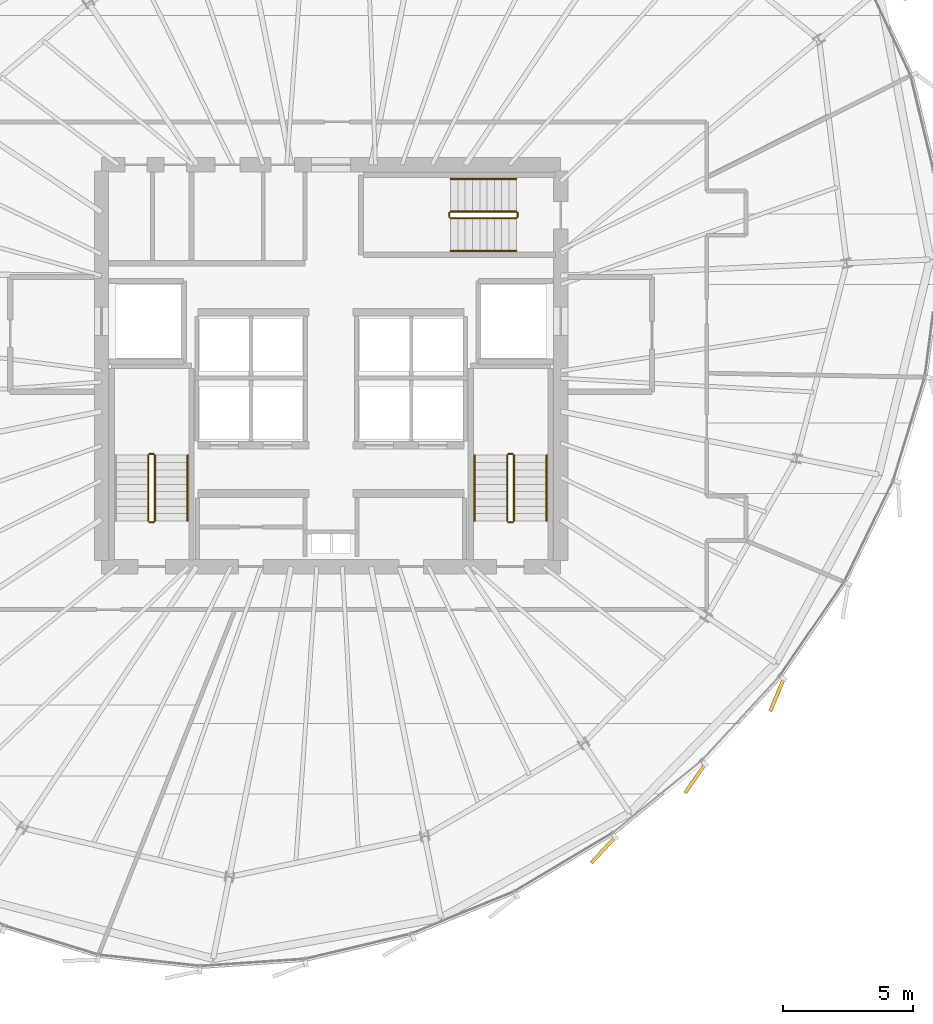
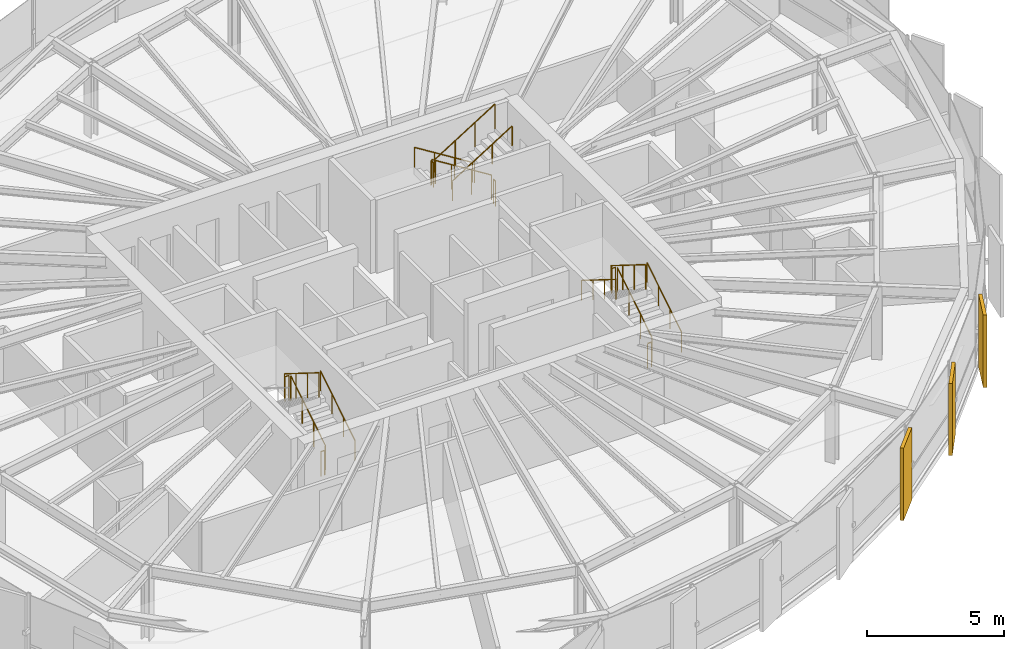
# One storey, part 33 of 34: 17 railings, 3 coverings.
"""IFC4 building model written with IfcOpenShell, lengths in metres."""

from ifc_helpers import new_model, si_unit, direction, frame, origin, origin_2d, place, context, subcontext, project, spatial, rectangle, circle, extrude, source, transform, mapped, material, layer, layer_set, type_object, element, save


model = new_model("IFC4")

# Units and contexts
model_context = context("Model", 3, precision=1e-05, world=origin(), true_north=direction((0.0, 1.0)))
body_context = subcontext(model_context, "Body", "Model", "MODEL_VIEW")
ifc_project = project(units=[si_unit("LENGTHUNIT", "METRE"), si_unit("AREAUNIT", "SQUARE_METRE"), si_unit("VOLUMEUNIT", "CUBIC_METRE"), si_unit("PLANEANGLEUNIT", "RADIAN"), si_unit("MASSUNIT", "GRAM", prefix="KILO"), si_unit("THERMODYNAMICTEMPERATUREUNIT", "KELVIN")], contexts=[model_context])

# Site, building, storey
site_placement = place(None, origin())
site = spatial("IfcSite", under=ifc_project, at=site_placement, CompositionType="ELEMENT")
building_placement = place(site_placement, origin())
building = spatial("IfcBuilding", under=site, at=building_placement, Name="Kethvar Cultural Tower", CompositionType="ELEMENT")
storey_placement = place(building_placement, frame((0.0, 0.0, 207.89990234375)))
storey = spatial("IfcBuildingStorey", under=building, at=storey_placement, Name="L54", CompositionType="ELEMENT", Elevation=207.89990234375)

# Railings
ifc_material_1 = material(Name="Steel S355J2", Category="steel")
railing_type_1 = type_object("IfcRailingType", Name="RL-STAIR-GUARD", PredefinedType="BALUSTRADE", material=ifc_material_1)
railing_1_placement = place(storey_placement, frame((40.050048828125, 21.85009765625, 0.175048828125)))
element("IfcRailing", 1, at=railing_1_placement, inside=storey, type_object=railing_type_1, Name="L54 ST-01 stair guard 1", PredefinedType="BALUSTRADE", context=body_context, shape_type="SweptSolid", body=[
    extrude(circle(Radius=0.02392578125, at=origin_2d()), frame((0.0, 0.0, 1.09619140625), z_axis=(0.0, 0.848007534815, 0.529984170421), x_axis=(-1.0, 0.0, 0.0)), (0.0, 0.0, 1.0), 2.9716796875),
    extrude(circle(Radius=0.02099609375, at=origin_2d()), origin(), (0.0, 0.0, 1.0), 1.072021484375),
    extrude(circle(Radius=0.02099609375, at=origin_2d()), frame((0.0, 0.840087890625, 0.52490234375)), (0.0, 0.0, 1.0), 1.072021484375),
    extrude(circle(Radius=0.02099609375, at=origin_2d()), frame((0.0, 1.679931640625, 1.050048828125)), (0.0, 0.0, 1.0), 1.072021484375),
    extrude(circle(Radius=0.02099609375, at=origin_2d()), frame((0.0, 2.52001953125, 1.574951171875)), (0.0, 0.0, 1.0), 1.072021484375),
])
railing_2_placement = place(storey_placement, frame((40.0, 24.419921875, 1.75)))
element("IfcRailing", 2, at=railing_2_placement, inside=storey, type_object=railing_type_1, Name="L54 ST-01 stair guard 2", PredefinedType="BALUSTRADE", context=body_context, shape_type="SweptSolid", body=[
    extrude(circle(Radius=0.02392578125, at=origin_2d()), frame((0.0, 0.0, 1.09619140625), z_axis=(-1.0, 0.0, 0.0), x_axis=(0.0, -1.0, 0.0)), (0.0, 0.0, 1.0), 0.159912109375),
    extrude(circle(Radius=0.02099609375, at=origin_2d()), origin(), (0.0, 0.0, 1.0), 1.072021484375),
    extrude(circle(Radius=0.02099609375, at=origin_2d()), frame((-0.159912109375, 0.0, 0.0)), (0.0, 0.0, 1.0), 1.072021484375),
])
railing_3_placement = place(storey_placement, frame((39.7900390625, 24.3701171875, 1.925048828125)))
element("IfcRailing", 3, at=railing_3_placement, inside=storey, type_object=railing_type_1, Name="L54 ST-01 stair guard 3", PredefinedType="BALUSTRADE", context=body_context, shape_type="SweptSolid", body=[
    extrude(circle(Radius=0.02392578125, at=origin_2d()), frame((0.0, 0.0, 1.09619140625), z_axis=(0.0, -0.848007534815, 0.529984170421), x_axis=(1.0, 0.0, 0.0)), (0.0, 0.0, 1.0), 2.9716796875),
    extrude(circle(Radius=0.02099609375, at=origin_2d()), origin(), (0.0, 0.0, 1.0), 1.072021484375),
    extrude(circle(Radius=0.02099609375, at=origin_2d()), frame((0.0, -0.840087890625, 0.52490234375)), (0.0, 0.0, 1.0), 1.072021484375),
    extrude(circle(Radius=0.02099609375, at=origin_2d()), frame((0.0, -1.679931640625, 1.050048828125)), (0.0, 0.0, 1.0), 1.072021484375),
    extrude(circle(Radius=0.02099609375, at=origin_2d()), frame((0.0, -2.52001953125, 1.574951171875)), (0.0, 0.0, 1.0), 1.072021484375),
])
railing_4_placement = place(storey_placement, frame((40.0, 21.800048828125, 0.0)))
element("IfcRailing", 4, at=railing_4_placement, inside=storey, type_object=railing_type_1, Name="L54 ST-01 stair guard 4", PredefinedType="BALUSTRADE", context=body_context, shape_type="SweptSolid", body=[
    extrude(circle(Radius=0.02392578125, at=origin_2d()), frame((0.0, 0.0, 1.09619140625), z_axis=(-1.0, 0.0, 0.0), x_axis=(0.0, -1.0, 0.0)), (0.0, 0.0, 1.0), 0.159912109375),
    extrude(circle(Radius=0.02099609375, at=origin_2d()), origin(), (0.0, 0.0, 1.0), 1.072021484375),
    extrude(circle(Radius=0.02099609375, at=origin_2d()), frame((-0.159912109375, 0.0, 0.0)), (0.0, 0.0, 1.0), 1.072021484375),
])
railing_5_placement = place(storey_placement, frame((53.81005859375, 21.85009765625, 0.175048828125)))
element("IfcRailing", 5, at=railing_5_placement, inside=storey, type_object=railing_type_1, Name="L54 ST-02 stair guard 1", PredefinedType="BALUSTRADE", context=body_context, shape_type="SweptSolid", body=[
    extrude(circle(Radius=0.02392578125, at=origin_2d()), frame((0.0, 0.0, 1.09619140625), z_axis=(0.0, 0.848007534815, 0.529984170421), x_axis=(-1.0, 0.0, 0.0)), (0.0, 0.0, 1.0), 2.9716796875),
    extrude(circle(Radius=0.02099609375, at=origin_2d()), origin(), (0.0, 0.0, 1.0), 1.072021484375),
    extrude(circle(Radius=0.02099609375, at=origin_2d()), frame((0.0, 0.840087890625, 0.52490234375)), (0.0, 0.0, 1.0), 1.072021484375),
    extrude(circle(Radius=0.02099609375, at=origin_2d()), frame((0.0, 1.679931640625, 1.050048828125)), (0.0, 0.0, 1.0), 1.072021484375),
    extrude(circle(Radius=0.02099609375, at=origin_2d()), frame((0.0, 2.52001953125, 1.574951171875)), (0.0, 0.0, 1.0), 1.072021484375),
])
railing_6_placement = place(storey_placement, frame((53.760009765625, 24.419921875, 1.75)))
element("IfcRailing", 6, at=railing_6_placement, inside=storey, type_object=railing_type_1, Name="L54 ST-02 stair guard 2", PredefinedType="BALUSTRADE", context=body_context, shape_type="SweptSolid", body=[
    extrude(circle(Radius=0.02392578125, at=origin_2d()), frame((0.0, 0.0, 1.09619140625), z_axis=(-1.0, 0.0, 0.0), x_axis=(0.0, -1.0, 0.0)), (0.0, 0.0, 1.0), 0.159912109375),
    extrude(circle(Radius=0.02099609375, at=origin_2d()), origin(), (0.0, 0.0, 1.0), 1.072021484375),
    extrude(circle(Radius=0.02099609375, at=origin_2d()), frame((-0.159912109375, 0.0, 0.0)), (0.0, 0.0, 1.0), 1.072021484375),
])
railing_7_placement = place(storey_placement, frame((53.550048828125, 24.3701171875, 1.925048828125)))
element("IfcRailing", 7, at=railing_7_placement, inside=storey, type_object=railing_type_1, Name="L54 ST-02 stair guard 3", PredefinedType="BALUSTRADE", context=body_context, shape_type="SweptSolid", body=[
    extrude(circle(Radius=0.02392578125, at=origin_2d()), frame((0.0, 0.0, 1.09619140625), z_axis=(0.0, -0.848007534815, 0.529984170421), x_axis=(1.0, 0.0, 0.0)), (0.0, 0.0, 1.0), 2.9716796875),
    extrude(circle(Radius=0.02099609375, at=origin_2d()), origin(), (0.0, 0.0, 1.0), 1.072021484375),
    extrude(circle(Radius=0.02099609375, at=origin_2d()), frame((0.0, -0.840087890625, 0.52490234375)), (0.0, 0.0, 1.0), 1.072021484375),
    extrude(circle(Radius=0.02099609375, at=origin_2d()), frame((0.0, -1.679931640625, 1.050048828125)), (0.0, 0.0, 1.0), 1.072021484375),
    extrude(circle(Radius=0.02099609375, at=origin_2d()), frame((0.0, -2.52001953125, 1.574951171875)), (0.0, 0.0, 1.0), 1.072021484375),
])
railing_8_placement = place(storey_placement, frame((53.760009765625, 21.800048828125, 0.0)))
element("IfcRailing", 8, at=railing_8_placement, inside=storey, type_object=railing_type_1, Name="L54 ST-02 stair guard 4", PredefinedType="BALUSTRADE", context=body_context, shape_type="SweptSolid", body=[
    extrude(circle(Radius=0.02392578125, at=origin_2d()), frame((0.0, 0.0, 1.09619140625), z_axis=(-1.0, 0.0, 0.0), x_axis=(0.0, -1.0, 0.0)), (0.0, 0.0, 1.0), 0.159912109375),
    extrude(circle(Radius=0.02099609375, at=origin_2d()), origin(), (0.0, 0.0, 1.0), 1.072021484375),
    extrude(circle(Radius=0.02099609375, at=origin_2d()), frame((-0.159912109375, 0.0, 0.0)), (0.0, 0.0, 1.0), 1.072021484375),
])
railing_9_placement = place(storey_placement, frame((53.89990234375, 33.7099609375, 0.175048828125)))
element("IfcRailing", 9, at=railing_9_placement, inside=storey, type_object=railing_type_1, Name="L54 ST-03 stair guard 1", PredefinedType="BALUSTRADE", context=body_context, shape_type="SweptSolid", body=[
    extrude(circle(Radius=0.02392578125, at=origin_2d()), frame((0.0, 0.0, 1.09619140625), z_axis=(-0.848007534815, 0.0, 0.529984170421), x_axis=(0.0, -1.0, 0.0)), (0.0, 0.0, 1.0), 2.9716796875),
    extrude(circle(Radius=0.02099609375, at=origin_2d()), origin(), (0.0, 0.0, 1.0), 1.072021484375),
    extrude(circle(Radius=0.02099609375, at=origin_2d()), frame((-0.840087890625, 0.0, 0.52490234375)), (0.0, 0.0, 1.0), 1.072021484375),
    extrude(circle(Radius=0.02099609375, at=origin_2d()), frame((-1.679931640625, 0.0, 1.050048828125)), (0.0, 0.0, 1.0), 1.072021484375),
    extrude(circle(Radius=0.02099609375, at=origin_2d()), frame((-2.52001953125, 0.0, 1.574951171875)), (0.0, 0.0, 1.0), 1.072021484375),
])
railing_10_placement = place(storey_placement, frame((51.330078125, 33.659912109375, 1.75)))
element("IfcRailing", 10, at=railing_10_placement, inside=storey, type_object=railing_type_1, Name="L54 ST-03 stair guard 2", PredefinedType="BALUSTRADE", context=body_context, shape_type="SweptSolid", body=[
    extrude(circle(Radius=0.02392578125, at=origin_2d()), frame((0.0, 0.0, 1.09619140625), z_axis=(0.0, -1.0, 0.0), x_axis=(1.0, 0.0, 0.0)), (0.0, 0.0, 1.0), 0.159912109375),
    extrude(circle(Radius=0.02099609375, at=origin_2d()), origin(), (0.0, 0.0, 1.0), 1.072021484375),
    extrude(circle(Radius=0.02099609375, at=origin_2d()), frame((0.0, -0.159912109375, 0.0)), (0.0, 0.0, 1.0), 1.072021484375),
])
railing_11_placement = place(storey_placement, frame((51.3798828125, 33.449951171875, 1.925048828125)))
element("IfcRailing", 11, at=railing_11_placement, inside=storey, type_object=railing_type_1, Name="L54 ST-03 stair guard 3", PredefinedType="BALUSTRADE", context=body_context, shape_type="SweptSolid", body=[
    extrude(circle(Radius=0.02392578125, at=origin_2d()), frame((0.0, 0.0, 1.09619140625), z_axis=(0.848007534815, 0.0, 0.529984170421), x_axis=(0.0, 1.0, 0.0)), (0.0, 0.0, 1.0), 2.9716796875),
    extrude(circle(Radius=0.02099609375, at=origin_2d()), origin(), (0.0, 0.0, 1.0), 1.072021484375),
    extrude(circle(Radius=0.02099609375, at=origin_2d()), frame((0.840087890625, 0.0, 0.52490234375)), (0.0, 0.0, 1.0), 1.072021484375),
    extrude(circle(Radius=0.02099609375, at=origin_2d()), frame((1.679931640625, 0.0, 1.050048828125)), (0.0, 0.0, 1.0), 1.072021484375),
    extrude(circle(Radius=0.02099609375, at=origin_2d()), frame((2.52001953125, 0.0, 1.574951171875)), (0.0, 0.0, 1.0), 1.072021484375),
])
railing_12_placement = place(storey_placement, frame((53.949951171875, 33.659912109375, 0.0)))
element("IfcRailing", 12, at=railing_12_placement, inside=storey, type_object=railing_type_1, Name="L54 ST-03 stair guard 4", PredefinedType="BALUSTRADE", context=body_context, shape_type="SweptSolid", body=[
    extrude(circle(Radius=0.02392578125, at=origin_2d()), frame((0.0, 0.0, 1.09619140625), z_axis=(0.0, -1.0, 0.0), x_axis=(1.0, 0.0, 0.0)), (0.0, 0.0, 1.0), 0.159912109375),
    extrude(circle(Radius=0.02099609375, at=origin_2d()), origin(), (0.0, 0.0, 1.0), 1.072021484375),
    extrude(circle(Radius=0.02099609375, at=origin_2d()), frame((0.0, -0.159912109375, 0.0)), (0.0, 0.0, 1.0), 1.072021484375),
])
railing_type_2 = type_object("IfcRailingType", Name="RL-STAIR-HANDRAIL", PredefinedType="HANDRAIL", material=ifc_material_1)
for number, where, name in (
    (13, (41.300048828125, 21.85009765625, 0.175048828125), "L54 ST-01 stair handrail 1"),
    (14, (55.06005859375, 21.85009765625, 0.175048828125), "L54 ST-02 stair handrail 1"),
):
    element("IfcRailing", number, at=place(storey_placement, frame(where)), inside=storey, type_object=railing_type_2, Name=name, PredefinedType="HANDRAIL", context=body_context, shape_type="SweptSolid", body=[
        extrude(circle(Radius=0.02392578125, at=origin_2d()), frame((0.0, 0.0, 0.8759765625), z_axis=(0.0, 0.848007534815, 0.529984170421), x_axis=(-1.0, 0.0, 0.0)), (0.0, 0.0, 1.0), 2.9716796875),
        extrude(circle(Radius=0.02099609375, at=origin_2d()), origin(), (0.0, 0.0, 1.0), 0.851806640625),
        extrude(circle(Radius=0.02099609375, at=origin_2d()), frame((0.0, 0.840087890625, 0.52490234375)), (0.0, 0.0, 1.0), 0.851806640625),
        extrude(circle(Radius=0.02099609375, at=origin_2d()), frame((0.0, 1.679931640625, 1.050048828125)), (0.0, 0.0, 1.0), 0.851806640625),
        extrude(circle(Radius=0.02099609375, at=origin_2d()), frame((0.0, 2.52001953125, 1.574951171875)), (0.0, 0.0, 1.0), 0.851806640625),
    ])
railing_13_placement = place(storey_placement, frame((52.300048828125, 24.3701171875, 1.925048828125)))
element("IfcRailing", 15, at=railing_13_placement, inside=storey, type_object=railing_type_2, Name="L54 ST-02 stair handrail 2", PredefinedType="HANDRAIL", context=body_context, shape_type="SweptSolid", body=[
    extrude(circle(Radius=0.02392578125, at=origin_2d()), frame((0.0, 0.0, 0.8759765625), z_axis=(0.0, -0.848007534815, 0.529984170421), x_axis=(1.0, 0.0, 0.0)), (0.0, 0.0, 1.0), 2.9716796875),
    extrude(circle(Radius=0.02099609375, at=origin_2d()), origin(), (0.0, 0.0, 1.0), 0.851806640625),
    extrude(circle(Radius=0.02099609375, at=origin_2d()), frame((0.0, -0.840087890625, 0.52490234375)), (0.0, 0.0, 1.0), 0.851806640625),
    extrude(circle(Radius=0.02099609375, at=origin_2d()), frame((0.0, -1.679931640625, 1.050048828125)), (0.0, 0.0, 1.0), 0.851806640625),
    extrude(circle(Radius=0.02099609375, at=origin_2d()), frame((0.0, -2.52001953125, 1.574951171875)), (0.0, 0.0, 1.0), 0.851806640625),
])
railing_14_placement = place(storey_placement, frame((53.89990234375, 34.9599609375, 0.175048828125)))
element("IfcRailing", 16, at=railing_14_placement, inside=storey, type_object=railing_type_2, Name="L54 ST-03 stair handrail 1", PredefinedType="HANDRAIL", context=body_context, shape_type="SweptSolid", body=[
    extrude(circle(Radius=0.02392578125, at=origin_2d()), frame((0.0, 0.0, 0.8759765625), z_axis=(-0.848007534815, 0.0, 0.529984170421), x_axis=(0.0, -1.0, 0.0)), (0.0, 0.0, 1.0), 2.9716796875),
    extrude(circle(Radius=0.02099609375, at=origin_2d()), origin(), (0.0, 0.0, 1.0), 0.851806640625),
    extrude(circle(Radius=0.02099609375, at=origin_2d()), frame((-0.840087890625, 0.0, 0.52490234375)), (0.0, 0.0, 1.0), 0.851806640625),
    extrude(circle(Radius=0.02099609375, at=origin_2d()), frame((-1.679931640625, 0.0, 1.050048828125)), (0.0, 0.0, 1.0), 0.851806640625),
    extrude(circle(Radius=0.02099609375, at=origin_2d()), frame((-2.52001953125, 0.0, 1.574951171875)), (0.0, 0.0, 1.0), 0.851806640625),
])
railing_15_placement = place(storey_placement, frame((51.3798828125, 32.199951171875, 1.925048828125)))
element("IfcRailing", 17, at=railing_15_placement, inside=storey, type_object=railing_type_2, Name="L54 ST-03 stair handrail 2", PredefinedType="HANDRAIL", context=body_context, shape_type="SweptSolid", body=[
    extrude(circle(Radius=0.02392578125, at=origin_2d()), frame((0.0, 0.0, 0.8759765625), z_axis=(0.848007534815, 0.0, 0.529984170421), x_axis=(0.0, 1.0, 0.0)), (0.0, 0.0, 1.0), 2.9716796875),
    extrude(circle(Radius=0.02099609375, at=origin_2d()), origin(), (0.0, 0.0, 1.0), 0.851806640625),
    extrude(circle(Radius=0.02099609375, at=origin_2d()), frame((0.840087890625, 0.0, 0.52490234375)), (0.0, 0.0, 1.0), 0.851806640625),
    extrude(circle(Radius=0.02099609375, at=origin_2d()), frame((1.679931640625, 0.0, 1.050048828125)), (0.0, 0.0, 1.0), 0.851806640625),
    extrude(circle(Radius=0.02099609375, at=origin_2d()), frame((2.52001953125, 0.0, 1.574951171875)), (0.0, 0.0, 1.0), 0.851806640625),
])

# Coverings
ifc_material_2 = material(Name="Extruded Architectural Terracotta", Category="masonry")
ifc_layer = layer(ifc_material_2, 0.135009765625, Name="Extruded Architectural Terracotta", Category="masonry")
ifc_layer_set = layer_set([ifc_layer], Name="Extruded Architectural Terracotta (135 mm)")
covering_type = type_object("IfcCoveringType", Name="Terracotta Facade Fin FIN-03", PredefinedType="CLADDING", material=ifc_layer_set)
shared_shape = source(origin(), body_context, "Body", "SweptSolid", [
    extrude(rectangle(XDim=1.35009765625, YDim=0.135009765625, at=origin_2d()), origin(), (0.0, 0.0, 1.0), 3.219970703125),
])
for number, where, z_axis, x_axis, name in (
    (18, (57.234619140625, 9.240234375, 0.02001953125), (0.0, 0.0, 1.0), (-0.680720868959, -0.732542898787, 0.0), "L54 Vertical Terracotta Fin 5.3"),
    (19, (60.7568359375, 11.981689453125, 0.02001953125), (0.0, 0.0, 1.0), (-0.569279523431, -0.822144041031, 0.0), "L54 Vertical Terracotta Fin 5.4"),
    (20, (63.892578125, 15.179443359375, 0.02001953125), (0.0, 0.0, 1.0), (-0.385422949633, -0.922740022919, 0.0), "L54 Vertical Terracotta Fin 5.5"),
):
    element("IfcCovering", number, at=place(storey_placement, frame(where, z_axis=z_axis, x_axis=x_axis)), inside=storey, type_object=covering_type, Name=name, PredefinedType="CLADDING", context=body_context, shape_type="MappedRepresentation", body=[
        mapped(shared_shape, transform((0.0, 0.0, 0.0), scale=1.0)),
    ])

save(model, "model.ifc")
